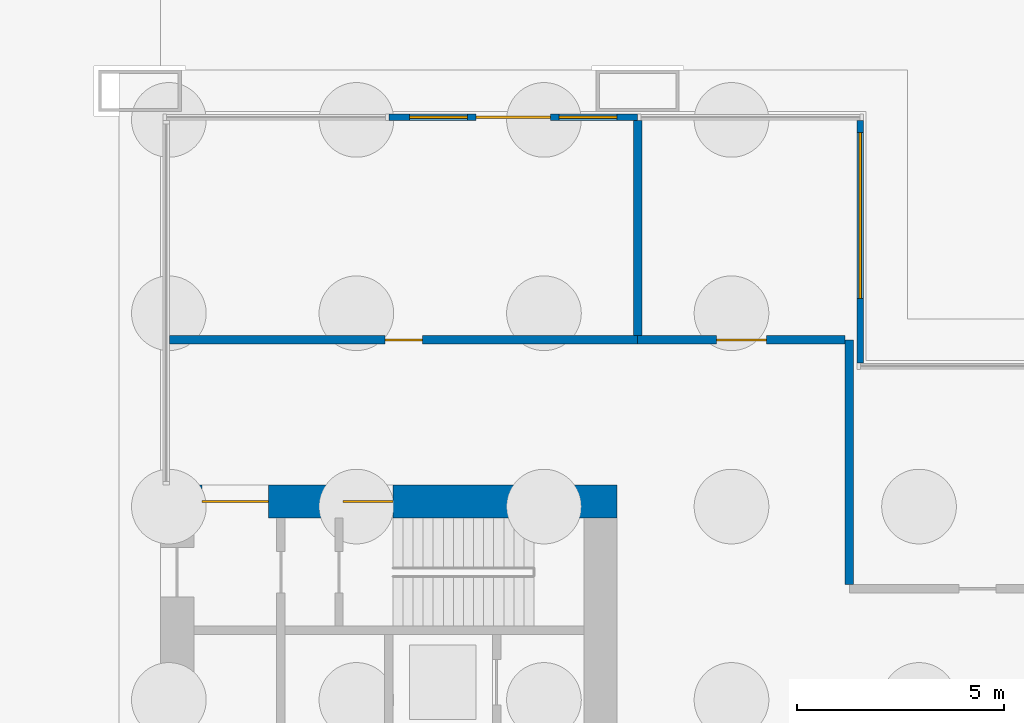
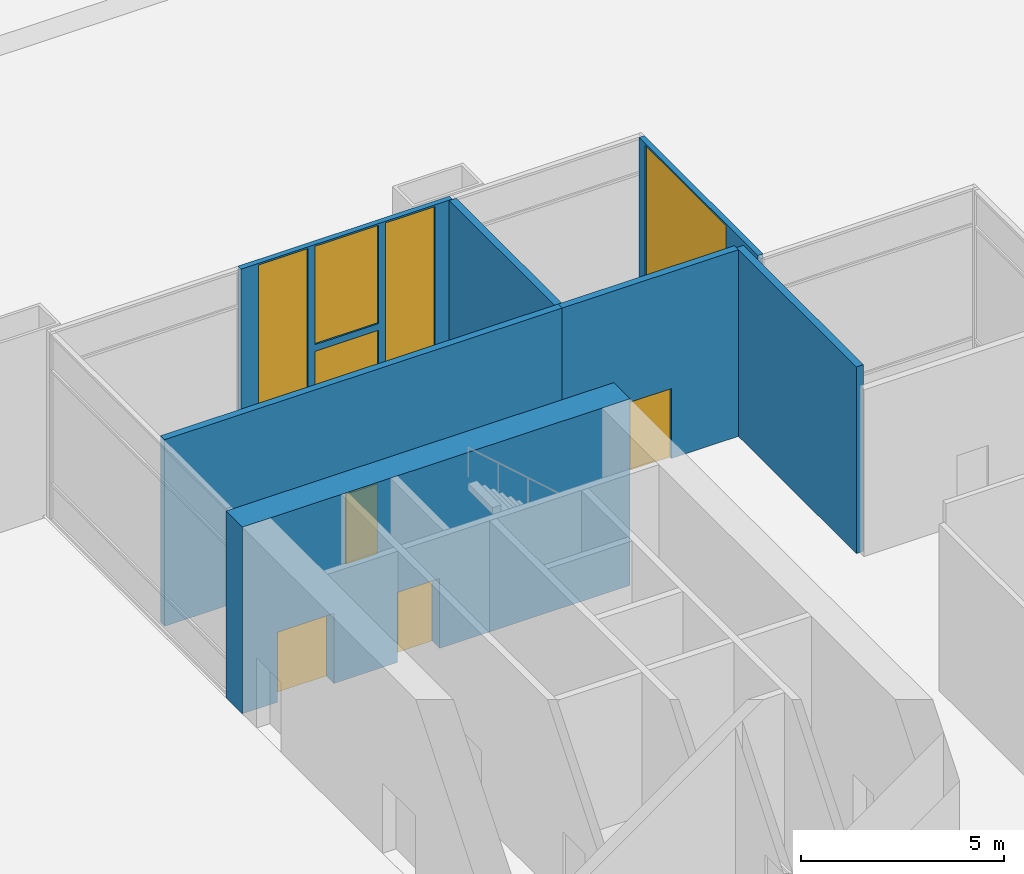
# One storey, part 25 of 29: 7 walls, 5 doors, 4 windows, 9 openings.
"""IFC4 building model written with IfcOpenShell, lengths in metres."""

from ifc_helpers import new_model, si_unit, direction, frame, frame_2d, origin, place, context, subcontext, project, spatial, rectangle, extrude, material, layer, layer_set, type_object, element, fill, save


model = new_model("IFC4")

# Units and contexts
model_context = context("Model", 3, precision=1e-05, world=origin(), true_north=direction((0.0, 1.0)))
body_context = subcontext(model_context, "Body", "Model", "MODEL_VIEW")
ifc_project = project(units=[si_unit("LENGTHUNIT", "METRE"), si_unit("AREAUNIT", "SQUARE_METRE"), si_unit("VOLUMEUNIT", "CUBIC_METRE"), si_unit("PLANEANGLEUNIT", "RADIAN"), si_unit("MASSUNIT", "GRAM", prefix="KILO")], contexts=[model_context])

# Site, building, storey
site_placement = place(None, origin())
site = spatial("IfcSite", under=ifc_project, at=site_placement, CompositionType="ELEMENT")
building_placement = place(site_placement, origin())
building = spatial("IfcBuilding", under=site, at=building_placement, Name="Kitamizu Gate Tower and Museum", CompositionType="ELEMENT")
storey_placement = place(building_placement, origin())
storey = spatial("IfcBuildingStorey", under=building, at=storey_placement, Name="L00", CompositionType="ELEMENT", Elevation=0.0)

# Wall, openings, doors
ifc_material_1 = material(Name="Concrete Fc60", Category="concrete")
ifc_layer_1 = layer(ifc_material_1, 0.800048828125)
ifc_layer_set_1 = layer_set([ifc_layer_1], Name="Concrete Fc60")
wall_type_1 = type_object("IfcWallType", Name="Core wall 800", PredefinedType="SHEAR", material=ifc_layer_set_1)
wall_1_placement = place(storey_placement, frame((59.5, 38.10009765625, 0.0), z_axis=(0.0, 0.0, 1.0), x_axis=(-1.0, 0.0, 0.0)))
wall_1 = element("IfcWall", 1, at=wall_1_placement, inside=storey, type_object=wall_type_1, Name="Core wall EN", PredefinedType="SHEAR", context=body_context, shape_type="SweptSolid", body=[
    extrude(rectangle(XDim=11.0, YDim=0.800048828125, at=frame_2d((5.5, 0.0))), origin(), (0.0, 0.0, 1.0), 5.60009765625),
])
opening_1_placement = place(wall_1_placement, frame((8.39990234375, 0.0, 0.0)))
opening_1 = element("IfcOpeningElement", 2, at=opening_1_placement, cuts=wall_1, Name="Opening L00-034", PredefinedType="OPENING", context=body_context, shape_type="SweptSolid", body=[
    extrude(rectangle(XDim=1.60009765625, YDim=2.10009765625, at=frame_2d((0.800048828125, 1.050048828125))), frame((0.0, 0.41015625, 0.0), z_axis=(0.0, -1.0, 0.0), x_axis=(1.0, 0.0, 0.0)), (0.0, 0.0, 1.0), 0.820068359375),
])
opening_2_placement = place(wall_1_placement, frame((5.39990234375, 0.0, 0.0)))
opening_2 = element("IfcOpeningElement", 3, at=opening_2_placement, cuts=wall_1, Name="Opening L00-037", PredefinedType="OPENING", context=body_context, shape_type="SweptSolid", body=[
    extrude(rectangle(XDim=1.199951171875, YDim=2.10009765625, at=frame_2d((0.60009765625, 1.050048828125))), frame((0.0, 0.41015625, 0.0), z_axis=(0.0, -1.0, 0.0), x_axis=(1.0, 0.0, 0.0)), (0.0, 0.0, 1.0), 0.820068359375),
])
ifc_material_2 = material(Name="Timber door set", Category="wood")
door_type_1 = type_object("IfcDoorType", Name="Entrance door 1600", OperationType="DOUBLE_DOOR_SINGLE_SWING", PredefinedType="DOOR", material=ifc_material_2)
door_1_placement = place(opening_1_placement, origin())
door_1 = element("IfcDoor", 4, at=door_1_placement, inside=storey, type_object=door_type_1, Name="Lobby door L00-034", OperationType="DOUBLE_DOOR_SINGLE_SWING", OverallHeight=2.10009765625, OverallWidth=1.60009765625, PredefinedType="DOOR", context=body_context, shape_type="SweptSolid", body=[
    extrude(rectangle(XDim=1.60009765625, YDim=2.10009765625, at=frame_2d((0.800048828125, 1.050048828125))), frame((0.0, 0.02490234375, 0.0), z_axis=(0.0, -1.0, 0.0), x_axis=(1.0, 0.0, 0.0)), (0.0, 0.0, 1.0), 0.050048828125),
])
fill(opening_1, door_1)
ifc_material_3 = material(Name="Timber door set", Category="wood")
door_type_2 = type_object("IfcDoorType", Name="Exit door 1200", OperationType="DOUBLE_DOOR_SINGLE_SWING", PredefinedType="DOOR", material=ifc_material_3)
door_2_placement = place(opening_2_placement, frame((1.199951171875, 0.0, 0.0), x_axis=(-1.0, 0.0, 0.0)))
door_2 = element("IfcDoor", 5, at=door_2_placement, inside=storey, type_object=door_type_2, Name="Stair exit door L00-037", OperationType="DOUBLE_DOOR_SINGLE_SWING", OverallHeight=2.10009765625, OverallWidth=1.199951171875, PredefinedType="DOOR", context=body_context, shape_type="SweptSolid", body=[
    extrude(rectangle(XDim=1.199951171875, YDim=2.10009765625, at=frame_2d((0.60009765625, 1.050048828125))), frame((0.0, 0.02490234375, 0.0), z_axis=(0.0, -1.0, 0.0), x_axis=(1.0, 0.0, 0.0)), (0.0, 0.0, 1.0), 0.050048828125),
])
fill(opening_2, door_2)

# Wall
ifc_material_4 = material(Name="Gypsum board on galvanised stud")
ifc_layer_2 = layer(ifc_material_4, 0.199951171875)
ifc_layer_set_2 = layer_set([ifc_layer_2], Name="Gypsum board on galvanised stud")
wall_type_2 = type_object("IfcWallType", Name="Partition 200", PredefinedType="PARTITIONING", material=ifc_layer_set_2)
wall_2_placement = place(storey_placement, frame((65.10009765625, 36.10009765625, 0.0), z_axis=(0.0, 0.0, 1.0), x_axis=(0.0, 1.0, 0.0)))
element("IfcWall", 6, at=wall_2_placement, inside=storey, type_object=wall_type_2, Name="Partition L00-019", PredefinedType="PARTITIONING", context=body_context, shape_type="SweptSolid", body=[
    extrude(rectangle(XDim=5.89990234375, YDim=0.199951171875, at=frame_2d((2.949951171875, 0.0))), origin(), (0.0, 0.0, 1.0), 5.60009765625),
])

# Wall, opening, door
wall_3_placement = place(storey_placement, frame((60.0, 42.0, 0.0), z_axis=(0.0, 0.0, 1.0), x_axis=(-1.0, 0.0, 0.0)))
wall_3 = element("IfcWall", 7, at=wall_3_placement, inside=storey, type_object=wall_type_2, Name="Partition L00-020", PredefinedType="PARTITIONING", context=body_context, shape_type="SweptSolid", body=[
    extrude(rectangle(XDim=11.280029296875, YDim=0.199951171875, at=frame_2d((5.64013671875, 0.0))), origin(), (0.0, 0.0, 1.0), 5.60009765625),
])
opening_3_placement = place(wall_3_placement, frame((5.18994140625, 0.0, 0.0)))
opening_3 = element("IfcOpeningElement", 8, at=opening_3_placement, cuts=wall_3, Name="Opening L00-005", PredefinedType="OPENING", context=body_context, shape_type="SweptSolid", body=[
    extrude(rectangle(XDim=0.89990234375, YDim=2.10009765625, at=frame_2d((0.449951171875, 1.050048828125))), frame((0.0, 0.10986328125, 0.0), z_axis=(0.0, -1.0, 0.0), x_axis=(1.0, 0.0, 0.0)), (0.0, 0.0, 1.0), 0.219970703125),
])
ifc_material_5 = material(Name="Timber door set", Category="wood")
door_type_3 = type_object("IfcDoorType", Name="Store door 900", OperationType="NOTDEFINED", PredefinedType="DOOR", material=ifc_material_5)
door_3_placement = place(opening_3_placement, frame((0.89990234375, 0.0, 0.0), x_axis=(-1.0, 0.0, 0.0)))
door_3 = element("IfcDoor", 9, at=door_3_placement, inside=storey, type_object=door_type_3, Name="Store door L00-005", OperationType="SINGLE_SWING_RIGHT", OverallHeight=2.10009765625, OverallWidth=0.89990234375, PredefinedType="DOOR", context=body_context, shape_type="SweptSolid", body=[
    extrude(rectangle(XDim=0.89990234375, YDim=2.10009765625, at=frame_2d((0.449951171875, 1.050048828125))), frame((0.0, 0.02490234375, 0.0), z_axis=(0.0, -1.0, 0.0), x_axis=(1.0, 0.0, 0.0)), (0.0, 0.0, 1.0), 0.050048828125),
])
fill(opening_3, door_3)

wall_4_placement = place(storey_placement, frame((65.0, 42.0, 0.0), z_axis=(0.0, 0.0, 1.0), x_axis=(-1.0, 0.0, 0.0)))
wall_4 = element("IfcWall", 10, at=wall_4_placement, inside=storey, type_object=wall_type_2, Name="Partition L00-021", PredefinedType="PARTITIONING", context=body_context, shape_type="SweptSolid", body=[
    extrude(rectangle(XDim=5.0, YDim=0.199951171875, at=frame_2d((2.5, 0.0))), origin(), (0.0, 0.0, 1.0), 5.60009765625),
])
opening_4_placement = place(wall_4_placement, frame((1.89990234375, 0.0, 0.0)))
opening_4 = element("IfcOpeningElement", 11, at=opening_4_placement, cuts=wall_4, Name="Opening L00-006", PredefinedType="OPENING", context=body_context, shape_type="SweptSolid", body=[
    extrude(rectangle(XDim=1.199951171875, YDim=2.10009765625, at=frame_2d((0.60009765625, 1.050048828125))), frame((0.0, 0.10986328125, 0.0), z_axis=(0.0, -1.0, 0.0), x_axis=(1.0, 0.0, 0.0)), (0.0, 0.0, 1.0), 0.219970703125),
])
ifc_material_6 = material(Name="Timber door set", Category="wood")
door_type_4 = type_object("IfcDoorType", Name="Plant room door 1200", OperationType="DOUBLE_DOOR_SINGLE_SWING", PredefinedType="DOOR", material=ifc_material_6)
door_4_placement = place(opening_4_placement, origin())
door_4 = element("IfcDoor", 12, at=door_4_placement, inside=storey, type_object=door_type_4, Name="Plant room door L00-006", OperationType="DOUBLE_DOOR_SINGLE_SWING", OverallHeight=2.10009765625, OverallWidth=1.199951171875, PredefinedType="DOOR", context=body_context, shape_type="SweptSolid", body=[
    extrude(rectangle(XDim=1.199951171875, YDim=2.10009765625, at=frame_2d((0.60009765625, 1.050048828125))), frame((0.0, 0.02490234375, 0.0), z_axis=(0.0, -1.0, 0.0), x_axis=(1.0, 0.0, 0.0)), (0.0, 0.0, 1.0), 0.050048828125),
])
fill(opening_4, door_4)

# Wall
wall_5_placement = place(storey_placement, frame((60.0, 42.10009765625, 0.0), z_axis=(0.0, 0.0, 1.0), x_axis=(0.0, 1.0, 0.0)))
element("IfcWall", 13, at=wall_5_placement, inside=storey, type_object=wall_type_2, Name="Partition L00-026", PredefinedType="PARTITIONING", context=body_context, shape_type="SweptSolid", body=[
    extrude(rectangle(XDim=5.179931640625, YDim=0.199951171875, at=frame_2d((2.58984375, 0.0))), origin(), (0.0, 0.0, 1.0), 5.60009765625),
])

# Wall, opening, window
ifc_material_7 = material(Name="Bronze anodised aluminium frame with insulated spandrel and tinted glass", Category="aluminium")
ifc_layer_3 = layer(ifc_material_7, 0.14990234375)
ifc_layer_set_3 = layer_set([ifc_layer_3], Name="Bronze anodised aluminium frame with insulated spandrel and tinted glass")
wall_type_3 = type_object("IfcWallType", Name="WINDOW WALL 150 BRONZE FRAME EI 60", PredefinedType="ELEMENTEDWALL", material=ifc_layer_set_3)
wall_6_placement = place(storey_placement, frame((65.364990234375, 41.43994140625, 0.0), z_axis=(0.0, 0.0, 1.0), x_axis=(0.0, 1.0, 0.0)))
wall_6 = element("IfcWall", 14, at=wall_6_placement, inside=storey, type_object=wall_type_3, Name="Window wall east L00", PredefinedType="ELEMENTEDWALL", context=body_context, shape_type="SweptSolid", body=[
    extrude(rectangle(XDim=5.85009765625, YDim=0.14990234375, at=frame_2d((2.925048828125, 0.0))), origin(), (0.0, 0.0, 1.0), 5.60009765625),
])
opening_5_placement = place(wall_6_placement, frame((1.56005859375, 0.0, 0.449951171875)))
opening_5 = element("IfcOpeningElement", 15, at=opening_5_placement, cuts=wall_6, Name="Opening W22", PredefinedType="OPENING", context=body_context, shape_type="SweptSolid", body=[
    extrude(rectangle(XDim=4.0, YDim=5.10009765625, at=frame_2d((2.0, 2.550048828125))), frame((0.0, 0.0849609375, 0.0), z_axis=(0.0, -1.0, 0.0), x_axis=(1.0, 0.0, 0.0)), (0.0, 0.0, 1.0), 0.169921875),
])
ifc_material_8 = material(Name="Bronze anodised aluminium frame, tinted triple glazing", Category="aluminium")
window_type_1 = type_object("IfcWindowType", Name="WINDOW 4000 x 5100 SILL 450", PartitioningType="SINGLE_PANEL", PredefinedType="WINDOW", material=ifc_material_8)
window_1_placement = place(opening_5_placement, origin())
window_1 = element("IfcWindow", 16, at=window_1_placement, inside=storey, type_object=window_type_1, Name="Window W22 L00", OverallHeight=5.10009765625, OverallWidth=4.0, PartitioningType="SINGLE_PANEL", PredefinedType="WINDOW", context=body_context, shape_type="SweptSolid", body=[
    extrude(rectangle(XDim=4.0, YDim=5.10009765625, at=frame_2d((2.0, 2.550048828125))), frame((0.0, 0.030029296875, 0.0), z_axis=(0.0, -1.0, 0.0), x_axis=(1.0, 0.0, 0.0)), (0.0, 0.0, 1.0), 0.06005859375),
])
fill(opening_5, window_1)

# Wall, openings, door, windows
wall_7_placement = place(storey_placement, frame((54.0, 47.364990234375, 0.0), z_axis=(0.0, 0.0, 1.0), x_axis=(1.0, 0.0, 0.0)))
wall_7 = element("IfcWall", 17, at=wall_7_placement, inside=storey, type_object=wall_type_3, Name="Window wall north L00", PredefinedType="ELEMENTEDWALL", context=body_context, shape_type="SweptSolid", body=[
    extrude(rectangle(XDim=6.0, YDim=0.14990234375, at=frame_2d((3.0, 0.0))), origin(), (0.0, 0.0, 1.0), 5.60009765625),
])
opening_6_placement = place(wall_7_placement, frame((0.5, 0.0, 0.449951171875)))
opening_6 = element("IfcOpeningElement", 18, at=opening_6_placement, cuts=wall_7, Name="Opening W10", PredefinedType="OPENING", context=body_context, shape_type="SweptSolid", body=[
    extrude(rectangle(XDim=1.39990234375, YDim=5.10009765625, at=frame_2d((0.699951171875, 2.550048828125))), frame((0.0, 0.0849609375, 0.0), z_axis=(0.0, -1.0, 0.0), x_axis=(1.0, 0.0, 0.0)), (0.0, 0.0, 1.0), 0.169921875),
])
opening_7_placement = place(wall_7_placement, frame((4.10009765625, 0.0, 0.449951171875)))
opening_7 = element("IfcOpeningElement", 19, at=opening_7_placement, cuts=wall_7, Name="Opening W10", PredefinedType="OPENING", context=body_context, shape_type="SweptSolid", body=[
    extrude(rectangle(XDim=1.39990234375, YDim=5.10009765625, at=frame_2d((0.699951171875, 2.550048828125))), frame((0.0, 0.0849609375, 0.0), z_axis=(0.0, -1.0, 0.0), x_axis=(1.0, 0.0, 0.0)), (0.0, 0.0, 1.0), 0.169921875),
])
opening_8_placement = place(wall_7_placement, frame((2.10009765625, 0.0, 0.0)))
opening_8 = element("IfcOpeningElement", 20, at=opening_8_placement, cuts=wall_7, Name="Opening L00-908", PredefinedType="OPENING", context=body_context, shape_type="SweptSolid", body=[
    extrude(rectangle(XDim=1.800048828125, YDim=2.39990234375, at=frame_2d((0.89990234375, 1.199951171875))), frame((0.0, 0.0849609375, 0.0), z_axis=(0.0, -1.0, 0.0), x_axis=(1.0, 0.0, 0.0)), (0.0, 0.0, 1.0), 0.169921875),
])
opening_9_placement = place(wall_7_placement, frame((2.10009765625, 0.0, 2.60009765625)))
opening_9 = element("IfcOpeningElement", 21, at=opening_9_placement, cuts=wall_7, Name="Opening W14", PredefinedType="OPENING", context=body_context, shape_type="SweptSolid", body=[
    extrude(rectangle(XDim=1.800048828125, YDim=2.949951171875, at=frame_2d((0.89990234375, 1.47509765625))), frame((0.0, 0.0849609375, 0.0), z_axis=(0.0, -1.0, 0.0), x_axis=(1.0, 0.0, 0.0)), (0.0, 0.0, 1.0), 0.169921875),
])
ifc_material_9 = material(Name="Bronze anodised aluminium frame, tinted toughened glass", Category="aluminium")
door_type_5 = type_object("IfcDoorType", Name="SERVICE DOOR 1800 x 2400 FIRE RATED", OperationType="DOUBLE_DOOR_SINGLE_SWING", PredefinedType="DOOR", material=ifc_material_9)
door_5_placement = place(opening_8_placement, origin())
door_5 = element("IfcDoor", 22, at=door_5_placement, inside=storey, type_object=door_type_5, Name="Service door L00-908", OperationType="DOUBLE_DOOR_SINGLE_SWING", OverallHeight=2.39990234375, OverallWidth=1.800048828125, PredefinedType="DOOR", context=body_context, shape_type="SweptSolid", body=[
    extrude(rectangle(XDim=1.800048828125, YDim=2.39990234375, at=frame_2d((0.89990234375, 1.199951171875))), frame((0.0, 0.02490234375, 0.0), z_axis=(0.0, -1.0, 0.0), x_axis=(1.0, 0.0, 0.0)), (0.0, 0.0, 1.0), 0.050048828125),
])
fill(opening_8, door_5)
ifc_material_10 = material(Name="Bronze anodised aluminium frame, tinted triple glazing", Category="aluminium")
window_type_2 = type_object("IfcWindowType", Name="WINDOW 1400 x 5100 SILL 450", PartitioningType="SINGLE_PANEL", PredefinedType="WINDOW", material=ifc_material_10)
window_2_placement = place(opening_6_placement, origin())
window_2 = element("IfcWindow", 23, at=window_2_placement, inside=storey, type_object=window_type_2, Name="Window W10 L00", OverallHeight=5.10009765625, OverallWidth=1.39990234375, PartitioningType="SINGLE_PANEL", PredefinedType="WINDOW", context=body_context, shape_type="SweptSolid", body=[
    extrude(rectangle(XDim=1.39990234375, YDim=5.10009765625, at=frame_2d((0.699951171875, 2.550048828125))), frame((0.0, 0.030029296875, 0.0), z_axis=(0.0, -1.0, 0.0), x_axis=(1.0, 0.0, 0.0)), (0.0, 0.0, 1.0), 0.06005859375),
])
fill(opening_6, window_2)
window_3_placement = place(opening_7_placement, origin())
window_3 = element("IfcWindow", 24, at=window_3_placement, inside=storey, type_object=window_type_2, Name="Window W10 L00", OverallHeight=5.10009765625, OverallWidth=1.39990234375, PartitioningType="SINGLE_PANEL", PredefinedType="WINDOW", context=body_context, shape_type="SweptSolid", body=[
    extrude(rectangle(XDim=1.39990234375, YDim=5.10009765625, at=frame_2d((0.699951171875, 2.550048828125))), frame((0.0, 0.030029296875, 0.0), z_axis=(0.0, -1.0, 0.0), x_axis=(1.0, 0.0, 0.0)), (0.0, 0.0, 1.0), 0.06005859375),
])
fill(opening_7, window_3)
ifc_material_11 = material(Name="Bronze anodised aluminium frame, tinted triple glazing", Category="aluminium")
window_type_3 = type_object("IfcWindowType", Name="WINDOW 1800 x 2950 SILL 2600", PartitioningType="SINGLE_PANEL", PredefinedType="WINDOW", material=ifc_material_11)
window_4_placement = place(opening_9_placement, origin())
window_4 = element("IfcWindow", 25, at=window_4_placement, inside=storey, type_object=window_type_3, Name="Window W14 L00", OverallHeight=2.949951171875, OverallWidth=1.800048828125, PartitioningType="SINGLE_PANEL", PredefinedType="WINDOW", context=body_context, shape_type="SweptSolid", body=[
    extrude(rectangle(XDim=1.800048828125, YDim=2.949951171875, at=frame_2d((0.89990234375, 1.47509765625))), frame((0.0, 0.030029296875, 0.0), z_axis=(0.0, -1.0, 0.0), x_axis=(1.0, 0.0, 0.0)), (0.0, 0.0, 1.0), 0.06005859375),
])
fill(opening_9, window_4)

save(model, "model.ifc")
